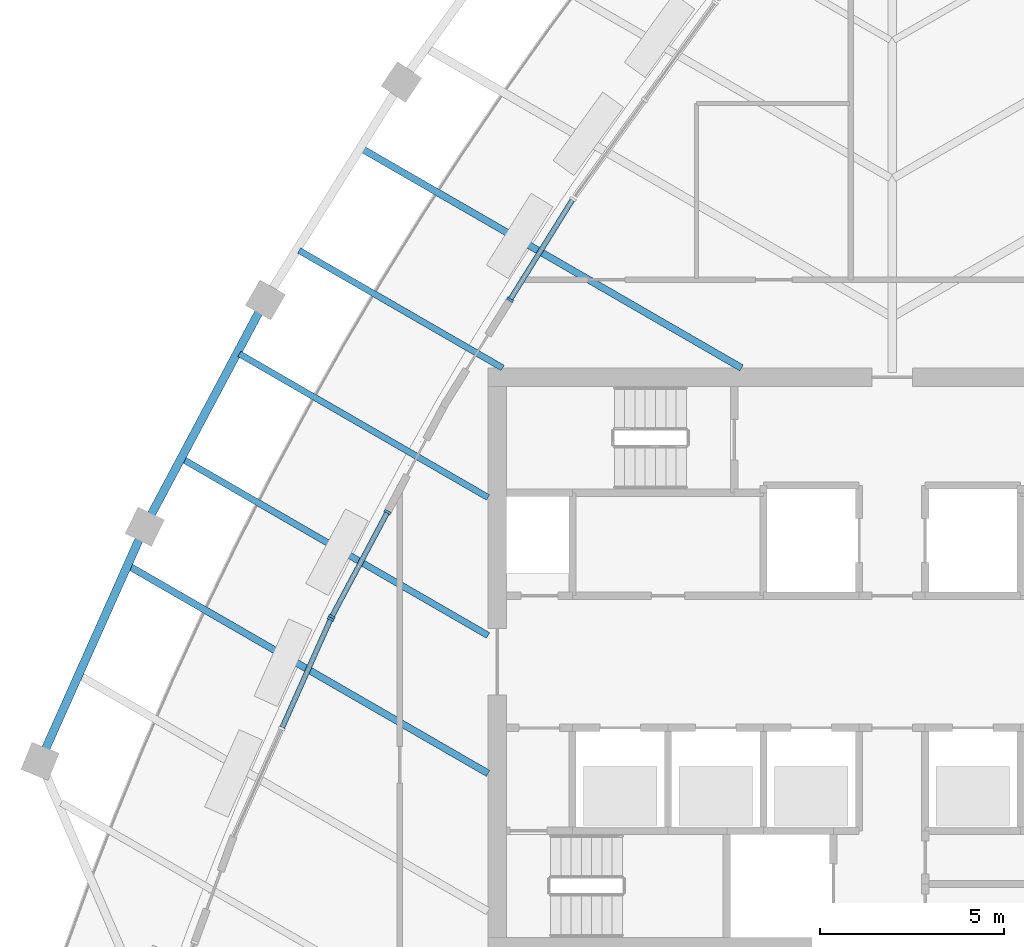
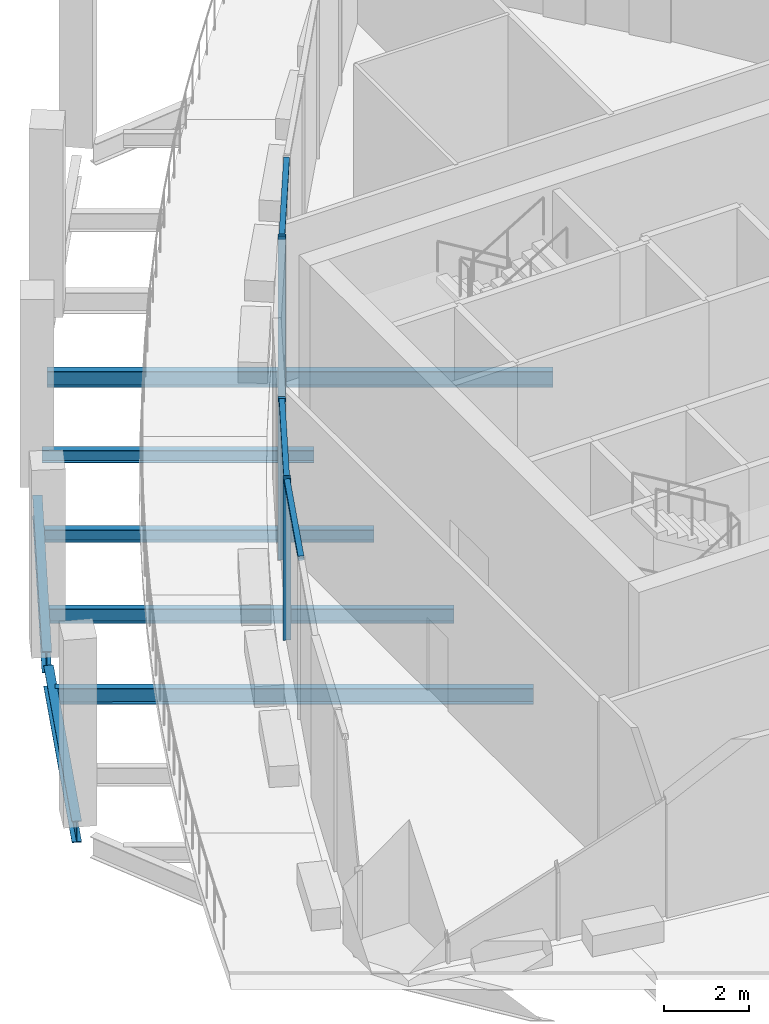
# One storey, part 3 of 14: 7 beams, 7 members, 3 elements without a shape of their own.
"""IFC4 building model written with IfcOpenShell, lengths in metres."""

from ifc_helpers import new_model, si_unit, direction, frame, origin, origin_2d, place, context, subcontext, project, spatial, rectangle, i_section, extrude, material, layer, layer_set, material_profile, profile_set, type_object, element, aggregate, save


model = new_model("IFC4")

# Units and contexts
model_context = context("Model", 3, precision=1e-05, world=origin(), true_north=direction((0.0, 1.0)))
body_context = subcontext(model_context, "Body", "Model", "MODEL_VIEW")
ifc_project = project(units=[si_unit("LENGTHUNIT", "METRE"), si_unit("AREAUNIT", "SQUARE_METRE"), si_unit("VOLUMEUNIT", "CUBIC_METRE"), si_unit("PLANEANGLEUNIT", "RADIAN"), si_unit("MASSUNIT", "GRAM", prefix="KILO")], contexts=[model_context])

# Site, building, storey
site_placement = place(None, origin())
site = spatial("IfcSite", under=ifc_project, at=site_placement, CompositionType="ELEMENT")
building_placement = place(site_placement, origin())
building = spatial("IfcBuilding", under=site, at=building_placement, Name="Sierra Prisma Convention Tower", CompositionType="ELEMENT")
storey_placement = place(building_placement, frame((0.0, 0.0, 339.39990234375)))
storey = spatial("IfcBuildingStorey", under=building, at=storey_placement, Name="L76", CompositionType="ELEMENT", Elevation=339.39990234375)

# Curtain wall, member
ifc_material_1 = material(Name="Aluminium and glass curtain wall", Category="aluminium")
ifc_layer = layer(ifc_material_1, 0.179931640625)
ifc_layer_set = layer_set([ifc_layer], Name="CW-5 Observation lounge curtain wall")
curtain_wall_type = type_object("IfcCurtainWallType", Name="CW-5 Observation lounge curtain wall", PredefinedType="NOTDEFINED", material=ifc_layer_set)
curtain_wall_1_placement = place(storey_placement, origin())
curtain_wall_1 = element("IfcCurtainWall", 1, at=curtain_wall_1_placement, inside=storey, type_object=curtain_wall_type, Name="CW-5 CNW3 L76", PredefinedType="NOTDEFINED")
ifc_material_2 = material(Name="Aluminium 6063-T6 bronze anodised", Category="aluminium")
ifc_material_profile_1 = material_profile(ifc_material_2, rectangle(XDim=0.179931640625, YDim=0.070068359375, at=origin_2d()), Name="ALU MULLION 70x180")
ifc_profile_set_1 = profile_set([ifc_material_profile_1], Name="Aluminium 6063-T6 bronze anodised")
member_type_1 = type_object("IfcMemberType", Name="CW mullion bronze", PredefinedType="MULLION", material=ifc_profile_set_1)
member_1_placement = place(storey_placement, frame((-10.400634765625, 9.854736328125, 0.0), z_axis=(0.0, 0.0, 1.0), x_axis=(0.848202348476, -0.529672328935, 0.0)))
member_1 = element("IfcMember", 2, at=member_1_placement, type_object=member_type_1, Name="CW-5 mullion CNW3.2", PredefinedType="MULLION", context=body_context, shape_type="SweptSolid", body=[
    extrude(rectangle(XDim=0.179931640625, YDim=0.070068359375, at=origin_2d()), origin(), (0.0, 0.0, 1.0), 4.64013671875),
])

# Curtain wall, members
curtain_wall_2_placement = place(storey_placement, origin())
curtain_wall_2 = element("IfcCurtainWall", 3, at=curtain_wall_2_placement, inside=storey, type_object=curtain_wall_type, Name="CW-5 CNW4 L76", PredefinedType="NOTDEFINED")
member_2_placement = place(storey_placement, frame((-13.734619140625, 4.079833984375, 0.0), z_axis=(0.0, 0.0, 1.0), x_axis=(0.882810866777, -0.469728616863, 0.0)))
member_2 = element("IfcMember", 4, at=member_2_placement, type_object=member_type_1, Name="CW-5 mullion CNW4.1", PredefinedType="MULLION", context=body_context, shape_type="SweptSolid", body=[
    extrude(rectangle(XDim=0.179931640625, YDim=0.070068359375, at=origin_2d()), origin(), (0.0, 0.0, 1.0), 4.64013671875),
])
member_3_placement = place(storey_placement, frame((-15.25244140625, 1.2275390625, 0.0), z_axis=(0.0, 0.0, 1.0), x_axis=(0.882810866777, -0.469728616863, 0.0)))
member_3 = element("IfcMember", 5, at=member_3_placement, type_object=member_type_1, Name="CW-5 mullion CNW4.2", PredefinedType="MULLION", context=body_context, shape_type="SweptSolid", body=[
    extrude(rectangle(XDim=0.179931640625, YDim=0.070068359375, at=origin_2d()), origin(), (0.0, 0.0, 1.0), 4.64013671875),
])

# Curtain wall, member
curtain_wall_3_placement = place(storey_placement, origin())
curtain_wall_3 = element("IfcCurtainWall", 6, at=curtain_wall_3_placement, inside=storey, type_object=curtain_wall_type, Name="CW-5 CNW5 L76", PredefinedType="NOTDEFINED")
member_4_placement = place(storey_placement, frame((-15.283203125, 1.16455078125, 0.0), z_axis=(0.0, 0.0, 1.0), x_axis=(0.913189839843, -0.407534435854, 0.0)))
member_4 = element("IfcMember", 7, at=member_4_placement, type_object=member_type_1, Name="CW-5 mullion CNW5.1", PredefinedType="MULLION", context=body_context, shape_type="SweptSolid", body=[
    extrude(rectangle(XDim=0.179931640625, YDim=0.070068359375, at=origin_2d()), origin(), (0.0, 0.0, 1.0), 4.64013671875),
])

# Member
ifc_material_3 = material(Name="Aluminium 6063-T6 bronze anodised", Category="aluminium")
ifc_material_profile_2 = material_profile(ifc_material_3, rectangle(XDim=0.139892578125, YDim=0.1201171875, at=origin_2d()), Name="ALU TRANSOM 120x140")
ifc_profile_set_2 = profile_set([ifc_material_profile_2], Name="Aluminium 6063-T6 bronze anodised")
member_type_2 = type_object("IfcMemberType", Name="CW transom bronze", PredefinedType="USERDEFINED", material=ifc_profile_set_2)
member_5_placement = place(storey_placement, frame((-8.707763671875, 12.565673828125, 4.580078125), z_axis=(-0.529644849656, -0.848219507694, 0.0), x_axis=(0.848219507694, -0.529644849656, 0.0)))
member_5 = element("IfcMember", 8, at=member_5_placement, type_object=member_type_2, Name="CW-5 transom CNW3.1", ObjectType="TRANSOM", PredefinedType="USERDEFINED", context=body_context, shape_type="SweptSolid", body=[
    extrude(rectangle(XDim=0.139892578125, YDim=0.1201171875, at=origin_2d()), origin(), (0.0, 0.0, 1.0), 3.1611328125),
])

aggregate(curtain_wall_1, [member_1, member_5])

member_6_placement = place(storey_placement, frame((-13.751220703125, 4.049072265625, 4.580078125), z_axis=(-0.469714154008, -0.882818562064, 0.0), x_axis=(0.882818562064, -0.469714154008, 0.0)))
member_6 = element("IfcMember", 9, at=member_6_placement, type_object=member_type_2, Name="CW-5 transom CNW4.1", ObjectType="TRANSOM", PredefinedType="USERDEFINED", context=body_context, shape_type="SweptSolid", body=[
    extrude(rectangle(XDim=0.139892578125, YDim=0.1201171875, at=origin_2d()), origin(), (0.0, 0.0, 1.0), 3.1611328125),
])

aggregate(curtain_wall_2, [member_2, member_3, member_6])

member_7_placement = place(storey_placement, frame((-15.29736328125, 1.132568359375, 4.580078125), z_axis=(-0.407520039404, -0.913196264493, 0.0), x_axis=(0.913196264493, -0.407520039404, 0.0)))
member_7 = element("IfcMember", 10, at=member_7_placement, type_object=member_type_2, Name="CW-5 transom CNW5.1", ObjectType="TRANSOM", PredefinedType="USERDEFINED", context=body_context, shape_type="SweptSolid", body=[
    extrude(rectangle(XDim=0.139892578125, YDim=0.1201171875, at=origin_2d()), origin(), (0.0, 0.0, 1.0), 3.196044921875),
])

aggregate(curtain_wall_3, [member_4, member_7])

# Beams
ifc_material_4 = material(Name="Steel ASTM A992 Gr 50", Category="steel")
ifc_material_profile_3 = material_profile(ifc_material_4, i_section(OverallWidth=0.172119140625, OverallDepth=0.35791015625, WebThickness=0.0078125, FlangeThickness=0.01318359375, at=origin_2d()), Name="W360x57")
ifc_profile_set_3 = profile_set([ifc_material_profile_3], Name="Steel ASTM A992 Gr 50")
beam_type_1 = type_object("IfcBeamType", Name="Floor joist W360x57", PredefinedType="JOIST", material=ifc_profile_set_3)
beam_1_placement = place(storey_placement, frame((-16.142578125, 11.197509765625, -0.47900390625), z_axis=(0.866038102165, -0.499978005115, 0.0), x_axis=(0.499978005115, 0.866038102165, 0.0)))
element("IfcBeam", 11, at=beam_1_placement, inside=storey, type_object=beam_type_1, Name="Floor joist L76 NW06", PredefinedType="JOIST", context=body_context, shape_type="SweptSolid", body=[
    extrude(i_section(OverallWidth=0.172119140625, OverallDepth=0.35791015625, WebThickness=0.0078125, FlangeThickness=0.01318359375, at=origin_2d()), origin(), (0.0, 0.0, 1.0), 6.395263671875),
])
beam_2_placement = place(storey_placement, frame((-17.7685546875, 8.381103515625, -0.47900390625), z_axis=(0.866018084234, -0.50001267762, 0.0), x_axis=(0.50001267762, 0.866018084234, 0.0)))
element("IfcBeam", 12, at=beam_2_placement, inside=storey, type_object=beam_type_1, Name="Floor joist L76 NW07", PredefinedType="JOIST", context=body_context, shape_type="SweptSolid", body=[
    extrude(i_section(OverallWidth=0.172119140625, OverallDepth=0.35791015625, WebThickness=0.0078125, FlangeThickness=0.01318359375, at=origin_2d()), origin(), (0.0, 0.0, 1.0), 7.815673828125),
])
ifc_material_5 = material(Name="Steel ASTM A992 Gr 50", Category="steel")
ifc_material_profile_4 = material_profile(ifc_material_5, i_section(OverallWidth=0.177978515625, OverallDepth=0.406982421875, WebThickness=0.0078125, FlangeThickness=0.0126953125, at=origin_2d()), Name="W410x60")
ifc_profile_set_4 = profile_set([ifc_material_profile_4], Name="Steel ASTM A992 Gr 50")
beam_type_2 = type_object("IfcBeamType", Name="Floor joist W410x60", PredefinedType="JOIST", material=ifc_profile_set_4)
beam_3_placement = place(storey_placement, frame((-19.29736328125, 5.508056640625, -0.50341796875), z_axis=(0.866034520527, -0.499984209006, 0.0), x_axis=(0.499984209006, 0.866034520527, 0.0)))
element("IfcBeam", 13, at=beam_3_placement, inside=storey, type_object=beam_type_2, Name="Floor joist L76 NW08", PredefinedType="JOIST", context=body_context, shape_type="SweptSolid", body=[
    extrude(i_section(OverallWidth=0.177978515625, OverallDepth=0.406982421875, WebThickness=0.0078125, FlangeThickness=0.0126953125, at=origin_2d()), origin(), (0.0, 0.0, 1.0), 9.580810546875),
])
ifc_material_6 = material(Name="Steel ASTM A992 Gr 50", Category="steel")
ifc_material_profile_5 = material_profile(ifc_material_6, i_section(OverallWidth=0.18994140625, OverallDepth=0.45703125, WebThickness=0.009033203125, FlangeThickness=0.014404296875, at=origin_2d()), Name="W460x74")
ifc_profile_set_5 = profile_set([ifc_material_profile_5], Name="Steel ASTM A992 Gr 50")
beam_type_3 = type_object("IfcBeamType", Name="Floor joist W460x74", PredefinedType="JOIST", material=ifc_profile_set_5)
beam_4_placement = place(storey_placement, frame((-14.4189453125, 13.957763671875, -0.5283203125), z_axis=(0.86602931789, -0.499993220509, 0.0), x_axis=(0.499993220509, 0.86602931789, 0.0)))
element("IfcBeam", 14, at=beam_4_placement, inside=storey, type_object=beam_type_3, Name="Floor joist L76 NW05", PredefinedType="JOIST", context=body_context, shape_type="SweptSolid", body=[
    extrude(i_section(OverallWidth=0.18994140625, OverallDepth=0.45703125, WebThickness=0.009033203125, FlangeThickness=0.014404296875, at=origin_2d()), origin(), (0.0, 0.0, 1.0), 11.915771484375),
])
beam_5_placement = place(storey_placement, frame((-20.756591796875, 2.59521484375, -0.5283203125), z_axis=(0.866031491966, -0.499989454812, 0.0), x_axis=(0.499989454812, 0.866031491966, 0.0)))
element("IfcBeam", 15, at=beam_5_placement, inside=storey, type_object=beam_type_3, Name="Floor joist L76 NW09", PredefinedType="JOIST", context=body_context, shape_type="SweptSolid", body=[
    extrude(i_section(OverallWidth=0.18994140625, OverallDepth=0.45703125, WebThickness=0.009033203125, FlangeThickness=0.014404296875, at=origin_2d()), origin(), (0.0, 0.0, 1.0), 11.265869140625),
])
ifc_material_7 = material(Name="Steel ASTM A992 Gr 50", Category="steel")
ifc_material_profile_6 = material_profile(ifc_material_7, i_section(OverallWidth=0.22998046875, OverallDepth=0.616943359375, WebThickness=0.01318359375, FlangeThickness=0.022216796875, at=origin_2d()), Name="W610x140")
ifc_profile_set_6 = profile_set([ifc_material_profile_6], Name="Steel ASTM A992 Gr 50")
beam_type_4 = type_object("IfcBeamType", Name="Spandrel beam W610x140", PredefinedType="BEAM", material=ifc_profile_set_6)
beam_6_placement = place(storey_placement, frame((-17.1923828125, 9.6025390625, -0.6083984375), z_axis=(-0.469705495739, -0.882823168745, 0.0), x_axis=(0.882823168745, -0.469705495739, 0.0)))
element("IfcBeam", 16, at=beam_6_placement, inside=storey, type_object=beam_type_4, Name="Spandrel L76-16", PredefinedType="BEAM", context=body_context, shape_type="SweptSolid", body=[
    extrude(i_section(OverallWidth=0.22998046875, OverallDepth=0.616943359375, WebThickness=0.01318359375, FlangeThickness=0.022216796875, at=origin_2d()), origin(), (0.0, 0.0, 1.0), 6.4326171875),
])
beam_7_placement = place(storey_placement, frame((-20.459716796875, 3.42041015625, -0.6083984375), z_axis=(-0.407525387026, -0.913193878062, 0.0), x_axis=(0.913193878062, -0.407525387026, 0.0)))
element("IfcBeam", 17, at=beam_7_placement, inside=storey, type_object=beam_type_4, Name="Spandrel L76-17", PredefinedType="BEAM", context=body_context, shape_type="SweptSolid", body=[
    extrude(i_section(OverallWidth=0.22998046875, OverallDepth=0.616943359375, WebThickness=0.01318359375, FlangeThickness=0.022216796875, at=origin_2d()), origin(), (0.0, 0.0, 1.0), 6.432861328125),
])

save(model, "model.ifc")
